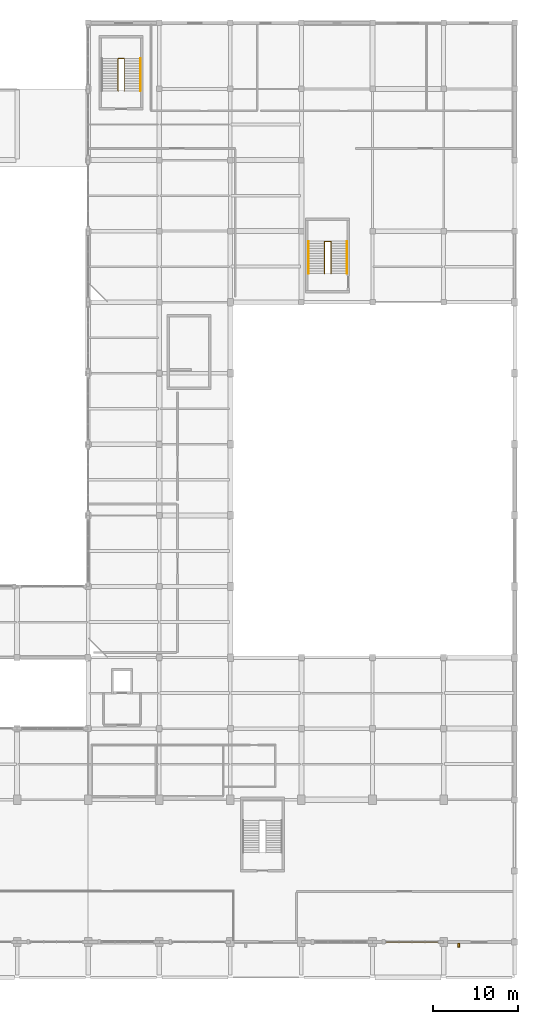
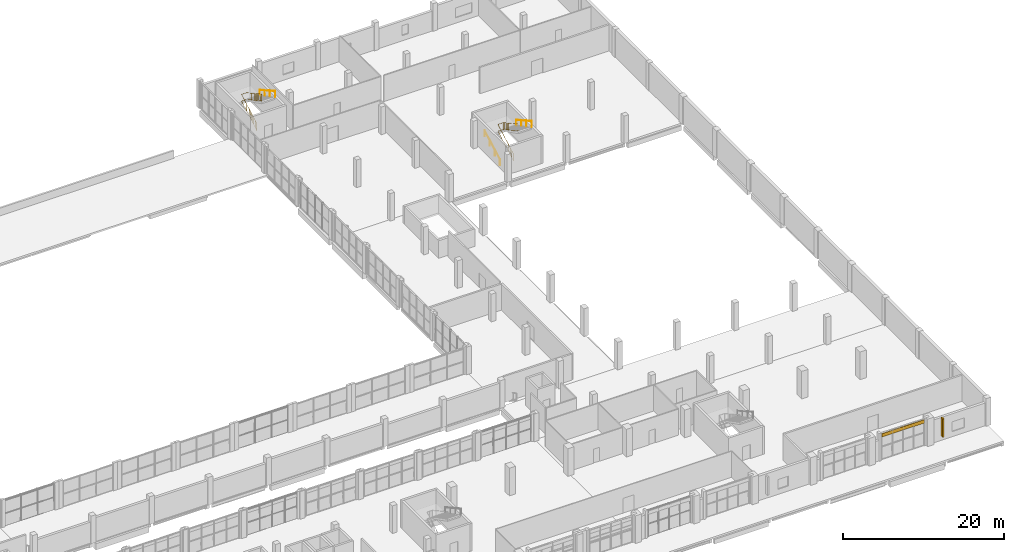
# One storey, part 59 of 59: 5 railings, 1 covering, 1 shading device.
"""IFC4 building model written with IfcOpenShell, lengths in metres."""

from ifc_helpers import new_model, si_unit, derived_unit, direction, frame, origin, origin_2d, place, context, subcontext, project, spatial, rectangle, circle, extrude, material, layer, layer_set, type_object, element, save


model = new_model("IFC4")

# Units and contexts
model_context = context("Model", 3, precision=1e-05, world=origin(), true_north=direction((0.0, 1.0)))
body_context = subcontext(model_context, "Body", "Model", "MODEL_VIEW")
ifc_project = project(units=[si_unit("LENGTHUNIT", "METRE"), si_unit("AREAUNIT", "SQUARE_METRE"), si_unit("VOLUMEUNIT", "CUBIC_METRE"), si_unit("PLANEANGLEUNIT", "RADIAN"), si_unit("MASSUNIT", "GRAM", prefix="KILO"), derived_unit("THERMALTRANSMITTANCEUNIT", [(si_unit("POWERUNIT", "WATT"), 1), (si_unit("LENGTHUNIT", "METRE"), -2), (si_unit("THERMODYNAMICTEMPERATUREUNIT", "KELVIN"), -1)])], contexts=[model_context])

# Site, building, storey
site_placement = place(None, origin())
site = spatial("IfcSite", under=ifc_project, at=site_placement, CompositionType="ELEMENT")
building_placement = place(site_placement, origin())
building = spatial("IfcBuilding", under=site, at=building_placement, Name="Barrovel Congress Hotel", CompositionType="ELEMENT")
storey_placement = place(building_placement, frame((0.0, 0.0, 9.89990234375)))
storey = spatial("IfcBuildingStorey", under=building, at=storey_placement, Name="L02", CompositionType="ELEMENT", Elevation=9.89990234375)

# Covering
ifc_material_1 = material(Name="Glazed Terracotta Spandrel", Category="masonry")
ifc_layer_1 = layer(ifc_material_1, 0.1201171875)
ifc_layer_set_1 = layer_set([ifc_layer_1], Name="Glazed Terracotta Spandrel")
covering_type = type_object("IfcCoveringType", Name="COV-CLAD-TERRA", PredefinedType="CLADDING", material=ifc_layer_set_1)
covering_placement = place(storey_placement, frame((164.280029296875, 4.14990234375, 3.41015625), z_axis=(0.0, 0.0, 1.0), x_axis=(1.0, 0.0, 0.0)))
element("IfcCovering", 1, at=covering_placement, inside=storey, type_object=covering_type, Name="CLAD:L02:S:19", PredefinedType="CLADDING", context=body_context, shape_type="SweptSolid", body=[
    extrude(rectangle(XDim=6.1201171875, YDim=0.1201171875, at=origin_2d()), origin(), (0.0, 0.0, 1.0), 0.52001953125),
])

# Railings
ifc_material_2 = material(Name="Painted Architectural Steel", Category="steel")
ifc_layer_2 = layer(ifc_material_2, 0.070068359375)
ifc_layer_set_2 = layer_set([ifc_layer_2], Name="Painted Architectural Steel")
railing_type_1 = type_object("IfcRailingType", Name="RAIL-GUARD-INT", PredefinedType="BALUSTRADE", material=ifc_layer_set_2)
railing_1_placement = place(storey_placement, frame((153.919921875, 83.179931640625, 0.0)))
element("IfcRailing", 2, at=railing_1_placement, inside=storey, type_object=railing_type_1, Name="STAIR:XS-06:L02:GR-W", PredefinedType="BALUSTRADE", context=body_context, shape_type="SweptSolid", body=[
    extrude(circle(Radius=0.02392578125, at=origin_2d()), frame((0.0, 0.0, 1.11572265625), z_axis=(0.0, 0.875510493411, 0.483199105885), x_axis=(-1.0, 0.0, 0.0)), (0.0, 0.0, 1.0), 4.34619140625),
    extrude(circle(Radius=0.02392578125, at=origin_2d()), frame((0.0, 0.0, 0.10009765625), z_axis=(0.0, 0.875510493411, 0.483199105885), x_axis=(-1.0, 0.0, 0.0)), (0.0, 0.0, 1.0), 4.34619140625),
    extrude(circle(Radius=0.010009765625, at=origin_2d()), frame((0.0, 0.380615234375, 0.31005859375)), (0.0, 0.0, 1.0), 0.99169921875),
    extrude(circle(Radius=0.010009765625, at=origin_2d()), frame((0.0, 0.760986328125, 0.52001953125)), (0.0, 0.0, 1.0), 0.99169921875),
    extrude(circle(Radius=0.010009765625, at=origin_2d()), frame((0.0, 1.1416015625, 0.72998046875)), (0.0, 0.0, 1.0), 0.99169921875),
    extrude(circle(Radius=0.010009765625, at=origin_2d()), frame((0.0, 1.52197265625, 0.93994140625)), (0.0, 0.0, 1.0), 0.99169921875),
    extrude(circle(Radius=0.010009765625, at=origin_2d()), frame((0.0, 1.902587890625, 1.150146484375)), (0.0, 0.0, 1.0), 0.99169921875),
    extrude(circle(Radius=0.010009765625, at=origin_2d()), frame((0.0, 2.283203125, 1.360107421875)), (0.0, 0.0, 1.0), 0.99169921875),
    extrude(circle(Radius=0.010009765625, at=origin_2d()), frame((0.0, 2.66357421875, 1.570068359375)), (0.0, 0.0, 1.0), 0.99169921875),
    extrude(circle(Radius=0.010009765625, at=origin_2d()), frame((0.0, 3.044189453125, 1.780029296875)), (0.0, 0.0, 1.0), 0.99169921875),
    extrude(circle(Radius=0.010009765625, at=origin_2d()), frame((0.0, 3.424560546875, 1.989990234375)), (0.0, 0.0, 1.0), 0.99169921875),
    extrude(circle(Radius=0.02392578125, at=origin_2d()), frame((0.0, 3.80517578125, 3.2158203125), z_axis=(1.0, 0.0, 0.0), x_axis=(0.0, 1.0, 0.0)), (0.0, 0.0, 1.0), 0.760009765625),
    extrude(circle(Radius=0.02392578125, at=origin_2d()), frame((0.0, 3.80517578125, 2.2001953125), z_axis=(1.0, 0.0, 0.0), x_axis=(0.0, 1.0, 0.0)), (0.0, 0.0, 1.0), 0.760009765625),
    extrude(circle(Radius=0.010009765625, at=origin_2d()), frame((0.3798828125, 3.80517578125, 2.2001953125)), (0.0, 0.0, 1.0), 0.99169921875),
    extrude(circle(Radius=0.02392578125, at=origin_2d()), frame((0.760009765625, 3.80517578125, 3.2158203125), z_axis=(0.0, -0.875510493411, 0.483199105885), x_axis=(1.0, 0.0, 0.0)), (0.0, 0.0, 1.0), 4.34619140625),
    extrude(circle(Radius=0.02392578125, at=origin_2d()), frame((0.760009765625, 3.80517578125, 2.2001953125), z_axis=(0.0, -0.875510493411, 0.483199105885), x_axis=(1.0, 0.0, 0.0)), (0.0, 0.0, 1.0), 4.34619140625),
    extrude(circle(Radius=0.010009765625, at=origin_2d()), frame((0.760009765625, 3.424560546875, 2.41015625)), (0.0, 0.0, 1.0), 0.99169921875),
    extrude(circle(Radius=0.010009765625, at=origin_2d()), frame((0.760009765625, 3.044189453125, 2.6201171875)), (0.0, 0.0, 1.0), 0.99169921875),
    extrude(circle(Radius=0.010009765625, at=origin_2d()), frame((0.760009765625, 2.66357421875, 2.830078125)), (0.0, 0.0, 1.0), 0.99169921875),
    extrude(circle(Radius=0.010009765625, at=origin_2d()), frame((0.760009765625, 2.283203125, 3.0400390625)), (0.0, 0.0, 1.0), 0.99169921875),
    extrude(circle(Radius=0.010009765625, at=origin_2d()), frame((0.760009765625, 1.902587890625, 3.250244140625)), (0.0, 0.0, 1.0), 0.99169921875),
    extrude(circle(Radius=0.010009765625, at=origin_2d()), frame((0.760009765625, 1.52197265625, 3.460205078125)), (0.0, 0.0, 1.0), 0.99169921875),
    extrude(circle(Radius=0.010009765625, at=origin_2d()), frame((0.760009765625, 1.1416015625, 3.670166015625)), (0.0, 0.0, 1.0), 0.99169921875),
    extrude(circle(Radius=0.010009765625, at=origin_2d()), frame((0.760009765625, 0.760986328125, 3.880126953125)), (0.0, 0.0, 1.0), 0.99169921875),
    extrude(circle(Radius=0.010009765625, at=origin_2d()), frame((0.760009765625, 0.380615234375, 4.090087890625)), (0.0, 0.0, 1.0), 0.99169921875),
    extrude(circle(Radius=0.02099609375, at=origin_2d()), origin(), (0.0, 0.0, 1.0), 1.091796875),
    extrude(circle(Radius=0.02099609375, at=origin_2d()), frame((0.0, 1.268310546875, 0.699951171875)), (0.0, 0.0, 1.0), 1.091796875),
    extrude(circle(Radius=0.02099609375, at=origin_2d()), frame((0.0, 2.536865234375, 1.400146484375)), (0.0, 0.0, 1.0), 1.091796875),
    extrude(circle(Radius=0.02099609375, at=origin_2d()), frame((0.0, 3.80517578125, 2.10009765625)), (0.0, 0.0, 1.0), 1.091796875),
    extrude(circle(Radius=0.02099609375, at=origin_2d()), frame((0.760009765625, 3.80517578125, 2.10009765625)), (0.0, 0.0, 1.0), 1.091796875),
    extrude(circle(Radius=0.02099609375, at=origin_2d()), frame((0.760009765625, 2.536865234375, 2.800048828125)), (0.0, 0.0, 1.0), 1.091796875),
    extrude(circle(Radius=0.02099609375, at=origin_2d()), frame((0.760009765625, 1.268310546875, 3.500244140625)), (0.0, 0.0, 1.0), 1.091796875),
    extrude(circle(Radius=0.02099609375, at=origin_2d()), frame((0.760009765625, 0.0, 4.2001953125)), (0.0, 0.0, 1.0), 1.091796875),
])
railing_2_placement = place(storey_placement, frame((129.5400390625, 104.780029296875, 0.0)))
element("IfcRailing", 3, at=railing_2_placement, inside=storey, type_object=railing_type_1, Name="STAIR:XS-10:L02:GR-W", PredefinedType="BALUSTRADE", context=body_context, shape_type="SweptSolid", body=[
    extrude(circle(Radius=0.02392578125, at=origin_2d()), frame((0.0, 0.0, 1.11572265625), z_axis=(0.0, 0.875497377122, 0.483222870581), x_axis=(-1.0, 0.0, 0.0)), (0.0, 0.0, 1.0), 4.345947265625),
    extrude(circle(Radius=0.02392578125, at=origin_2d()), frame((0.0, 0.0, 0.10009765625), z_axis=(0.0, 0.875497377122, 0.483222870581), x_axis=(-1.0, 0.0, 0.0)), (0.0, 0.0, 1.0), 4.345947265625),
    extrude(circle(Radius=0.010009765625, at=origin_2d()), frame((0.0, 0.38037109375, 0.31005859375)), (0.0, 0.0, 1.0), 0.99169921875),
    extrude(circle(Radius=0.010009765625, at=origin_2d()), frame((0.0, 0.760986328125, 0.52001953125)), (0.0, 0.0, 1.0), 0.99169921875),
    extrude(circle(Radius=0.010009765625, at=origin_2d()), frame((0.0, 1.1416015625, 0.72998046875)), (0.0, 0.0, 1.0), 0.99169921875),
    extrude(circle(Radius=0.010009765625, at=origin_2d()), frame((0.0, 1.52197265625, 0.93994140625)), (0.0, 0.0, 1.0), 0.99169921875),
    extrude(circle(Radius=0.010009765625, at=origin_2d()), frame((0.0, 1.90234375, 1.150146484375)), (0.0, 0.0, 1.0), 0.99169921875),
    extrude(circle(Radius=0.010009765625, at=origin_2d()), frame((0.0, 2.282958984375, 1.360107421875)), (0.0, 0.0, 1.0), 0.99169921875),
    extrude(circle(Radius=0.010009765625, at=origin_2d()), frame((0.0, 2.66357421875, 1.570068359375)), (0.0, 0.0, 1.0), 0.99169921875),
    extrude(circle(Radius=0.010009765625, at=origin_2d()), frame((0.0, 3.0439453125, 1.780029296875)), (0.0, 0.0, 1.0), 0.99169921875),
    extrude(circle(Radius=0.010009765625, at=origin_2d()), frame((0.0, 3.42431640625, 1.989990234375)), (0.0, 0.0, 1.0), 0.99169921875),
    extrude(circle(Radius=0.02392578125, at=origin_2d()), frame((0.0, 3.804931640625, 3.2158203125), z_axis=(1.0, 0.0, 0.0), x_axis=(0.0, 1.0, 0.0)), (0.0, 0.0, 1.0), 0.719970703125),
    extrude(circle(Radius=0.02392578125, at=origin_2d()), frame((0.0, 3.804931640625, 2.2001953125), z_axis=(1.0, 0.0, 0.0), x_axis=(0.0, 1.0, 0.0)), (0.0, 0.0, 1.0), 0.719970703125),
    extrude(circle(Radius=0.010009765625, at=origin_2d()), frame((0.35986328125, 3.804931640625, 2.2001953125)), (0.0, 0.0, 1.0), 0.99169921875),
    extrude(circle(Radius=0.02392578125, at=origin_2d()), frame((0.719970703125, 3.804931640625, 3.2158203125), z_axis=(0.0, -0.875497377122, 0.483222870581), x_axis=(1.0, 0.0, 0.0)), (0.0, 0.0, 1.0), 4.345947265625),
    extrude(circle(Radius=0.02392578125, at=origin_2d()), frame((0.719970703125, 3.804931640625, 2.2001953125), z_axis=(0.0, -0.875497377122, 0.483222870581), x_axis=(1.0, 0.0, 0.0)), (0.0, 0.0, 1.0), 4.345947265625),
    extrude(circle(Radius=0.010009765625, at=origin_2d()), frame((0.719970703125, 3.42431640625, 2.41015625)), (0.0, 0.0, 1.0), 0.99169921875),
    extrude(circle(Radius=0.010009765625, at=origin_2d()), frame((0.719970703125, 3.0439453125, 2.6201171875)), (0.0, 0.0, 1.0), 0.99169921875),
    extrude(circle(Radius=0.010009765625, at=origin_2d()), frame((0.719970703125, 2.66357421875, 2.830078125)), (0.0, 0.0, 1.0), 0.99169921875),
    extrude(circle(Radius=0.010009765625, at=origin_2d()), frame((0.719970703125, 2.282958984375, 3.0400390625)), (0.0, 0.0, 1.0), 0.99169921875),
    extrude(circle(Radius=0.010009765625, at=origin_2d()), frame((0.719970703125, 1.90234375, 3.250244140625)), (0.0, 0.0, 1.0), 0.99169921875),
    extrude(circle(Radius=0.010009765625, at=origin_2d()), frame((0.719970703125, 1.52197265625, 3.460205078125)), (0.0, 0.0, 1.0), 0.99169921875),
    extrude(circle(Radius=0.010009765625, at=origin_2d()), frame((0.719970703125, 1.1416015625, 3.670166015625)), (0.0, 0.0, 1.0), 0.99169921875),
    extrude(circle(Radius=0.010009765625, at=origin_2d()), frame((0.719970703125, 0.760986328125, 3.880126953125)), (0.0, 0.0, 1.0), 0.99169921875),
    extrude(circle(Radius=0.010009765625, at=origin_2d()), frame((0.719970703125, 0.38037109375, 4.090087890625)), (0.0, 0.0, 1.0), 0.99169921875),
    extrude(circle(Radius=0.02099609375, at=origin_2d()), origin(), (0.0, 0.0, 1.0), 1.091796875),
    extrude(circle(Radius=0.02099609375, at=origin_2d()), frame((0.0, 1.268310546875, 0.699951171875)), (0.0, 0.0, 1.0), 1.091796875),
    extrude(circle(Radius=0.02099609375, at=origin_2d()), frame((0.0, 2.53662109375, 1.400146484375)), (0.0, 0.0, 1.0), 1.091796875),
    extrude(circle(Radius=0.02099609375, at=origin_2d()), frame((0.0, 3.804931640625, 2.10009765625)), (0.0, 0.0, 1.0), 1.091796875),
    extrude(circle(Radius=0.02099609375, at=origin_2d()), frame((0.719970703125, 3.804931640625, 2.10009765625)), (0.0, 0.0, 1.0), 1.091796875),
    extrude(circle(Radius=0.02099609375, at=origin_2d()), frame((0.719970703125, 2.53662109375, 2.800048828125)), (0.0, 0.0, 1.0), 1.091796875),
    extrude(circle(Radius=0.02099609375, at=origin_2d()), frame((0.719970703125, 1.268310546875, 3.500244140625)), (0.0, 0.0, 1.0), 1.091796875),
    extrude(circle(Radius=0.02099609375, at=origin_2d()), frame((0.719970703125, 0.0, 4.2001953125)), (0.0, 0.0, 1.0), 1.091796875),
])
ifc_material_3 = material(Name="Brushed Stainless Steel", Category="steel")
ifc_layer_3 = layer(ifc_material_3, 0.050048828125)
ifc_layer_set_3 = layer_set([ifc_layer_3], Name="Brushed Stainless Steel")
railing_type_2 = type_object("IfcRailingType", Name="RAIL-HAND", PredefinedType="HANDRAIL", material=ifc_layer_set_3)
railing_3_placement = place(storey_placement, frame((152.02001953125, 83.179931640625, 0.0)))
element("IfcRailing", 4, at=railing_3_placement, inside=storey, type_object=railing_type_2, Name="STAIR:XS-06:L02:HR-1", PredefinedType="HANDRAIL", context=body_context, shape_type="SweptSolid", body=[
    extrude(circle(Radius=0.02392578125, at=origin_2d()), frame((0.0, 0.0, 0.89599609375), z_axis=(0.0, 0.875510493411, 0.483199105885), x_axis=(-1.0, 0.0, 0.0)), (0.0, 0.0, 1.0), 4.34619140625),
    extrude(circle(Radius=0.02099609375, at=origin_2d()), origin(), (0.0, 0.0, 1.0), 0.871826171875),
    extrude(circle(Radius=0.02099609375, at=origin_2d()), frame((0.0, 1.268310546875, 0.699951171875)), (0.0, 0.0, 1.0), 0.871826171875),
    extrude(circle(Radius=0.02099609375, at=origin_2d()), frame((0.0, 2.536865234375, 1.400146484375)), (0.0, 0.0, 1.0), 0.871826171875),
    extrude(circle(Radius=0.02099609375, at=origin_2d()), frame((0.0, 3.80517578125, 2.10009765625)), (0.0, 0.0, 1.0), 0.871826171875),
])
railing_4_placement = place(storey_placement, frame((156.580078125, 86.985107421875, 2.10009765625)))
element("IfcRailing", 5, at=railing_4_placement, inside=storey, type_object=railing_type_2, Name="STAIR:XS-06:L02:HR-2", PredefinedType="HANDRAIL", context=body_context, shape_type="SweptSolid", body=[
    extrude(circle(Radius=0.02392578125, at=origin_2d()), frame((0.0, 0.0, 0.89599609375), z_axis=(0.0, -0.875510493411, 0.483199105885), x_axis=(1.0, 0.0, 0.0)), (0.0, 0.0, 1.0), 4.34619140625),
    extrude(circle(Radius=0.02099609375, at=origin_2d()), origin(), (0.0, 0.0, 1.0), 0.871826171875),
    extrude(circle(Radius=0.02099609375, at=origin_2d()), frame((0.0, -1.268310546875, 0.699951171875)), (0.0, 0.0, 1.0), 0.871826171875),
    extrude(circle(Radius=0.02099609375, at=origin_2d()), frame((0.0, -2.536865234375, 1.400146484375)), (0.0, 0.0, 1.0), 0.871826171875),
    extrude(circle(Radius=0.02099609375, at=origin_2d()), frame((0.0, -3.80517578125, 2.10009765625)), (0.0, 0.0, 1.0), 0.871826171875),
])
railing_5_placement = place(storey_placement, frame((132.179931640625, 108.5849609375, 2.10009765625)))
element("IfcRailing", 6, at=railing_5_placement, inside=storey, type_object=railing_type_2, Name="STAIR:XS-10:L02:HR-2", PredefinedType="HANDRAIL", context=body_context, shape_type="SweptSolid", body=[
    extrude(circle(Radius=0.02392578125, at=origin_2d()), frame((0.0, 0.0, 0.89599609375), z_axis=(0.0, -0.875497377122, 0.483222870581), x_axis=(1.0, 0.0, 0.0)), (0.0, 0.0, 1.0), 4.345947265625),
    extrude(circle(Radius=0.02099609375, at=origin_2d()), origin(), (0.0, 0.0, 1.0), 0.871826171875),
    extrude(circle(Radius=0.02099609375, at=origin_2d()), frame((0.0, -1.268310546875, 0.699951171875)), (0.0, 0.0, 1.0), 0.871826171875),
    extrude(circle(Radius=0.02099609375, at=origin_2d()), frame((0.0, -2.53662109375, 1.400146484375)), (0.0, 0.0, 1.0), 0.871826171875),
    extrude(circle(Radius=0.02099609375, at=origin_2d()), frame((0.0, -3.804931640625, 2.10009765625)), (0.0, 0.0, 1.0), 0.871826171875),
])

# Shading device
ifc_material_4 = material(Name="Fired Clay Brick Masonry", Category="masonry")
shading_device_type = type_object("IfcShadingDeviceType", Name="SHD-FIN", PredefinedType="USERDEFINED", material=ifc_material_4)
shading_device_placement = place(storey_placement, frame((169.800048828125, 3.820068359375, 0.7001953125), z_axis=(0.0, 0.0, 1.0), x_axis=(1.0, 0.0, 0.0)))
element("IfcShadingDevice", 7, at=shading_device_placement, inside=storey, type_object=shading_device_type, Name="FIN:L02:S:20", ObjectType="SOLAR FIN", PredefinedType="USERDEFINED", context=body_context, shape_type="SweptSolid", body=[
    extrude(rectangle(XDim=0.219970703125, YDim=0.449951171875, at=origin_2d()), origin(), (0.0, 0.0, 1.0), 2.800048828125),
])

save(model, "model.ifc")
